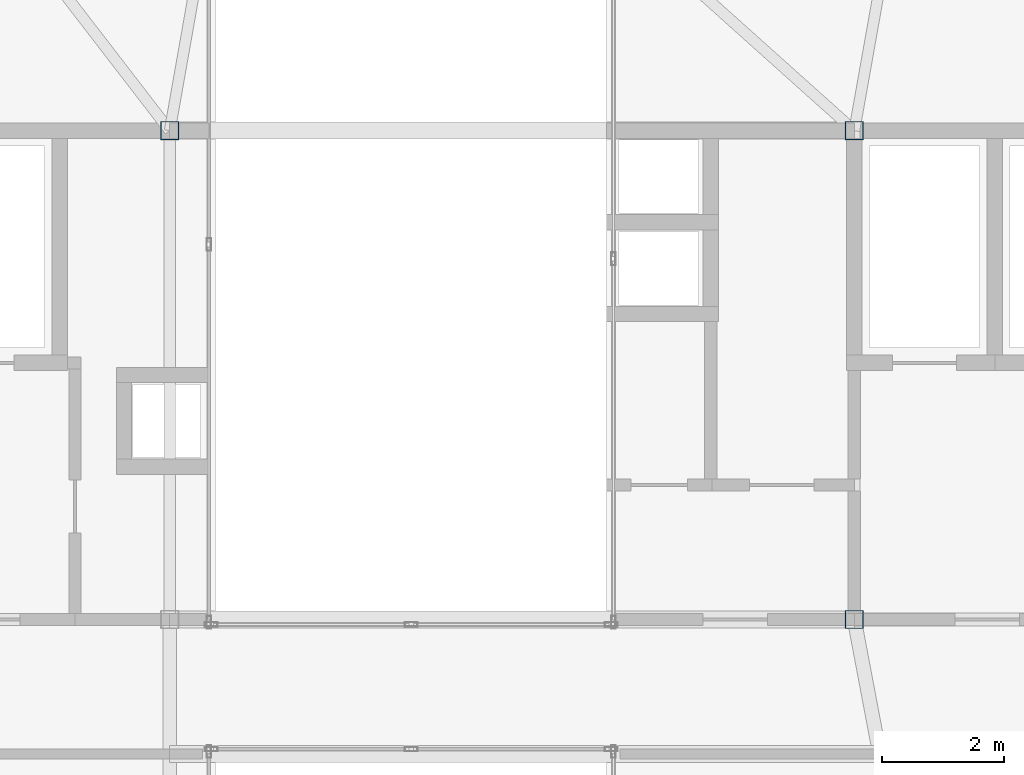
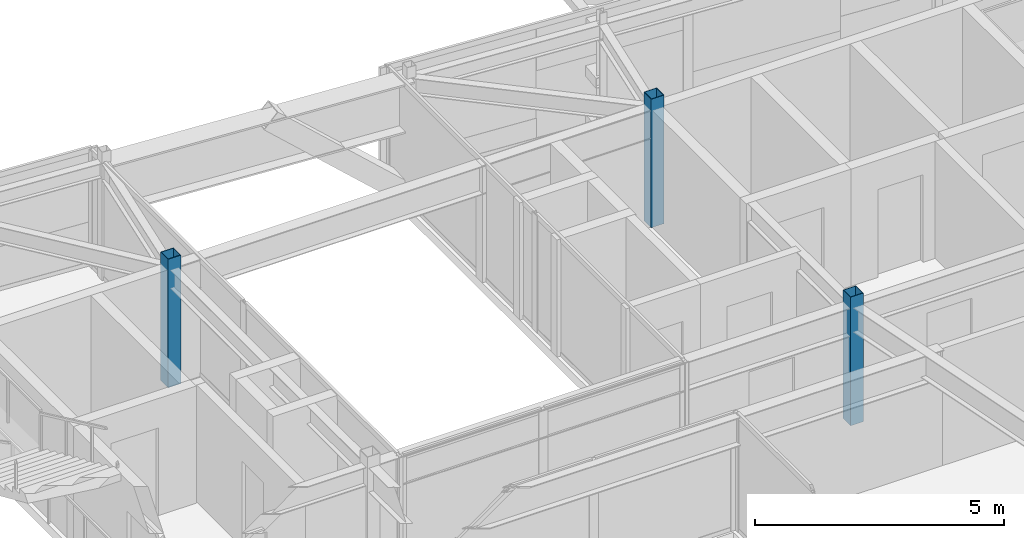
# One storey, part 4 of 40: 3 columns.
"""IFC4 building model written with IfcOpenShell, lengths in metres."""

from ifc_helpers import new_model, si_unit, direction, frame, origin, origin_2d, place, context, subcontext, project, spatial, hollow_rectangle, extrude, source, transform, mapped, material, material_profile, profile_set, type_object, element, save


model = new_model("IFC4")

# Units and contexts
model_context = context("Model", 3, precision=1e-05, world=origin(), true_north=direction((0.0, 1.0)))
body_context = subcontext(model_context, "Body", "Model", "MODEL_VIEW")
ifc_project = project(units=[si_unit("LENGTHUNIT", "METRE"), si_unit("AREAUNIT", "SQUARE_METRE"), si_unit("VOLUMEUNIT", "CUBIC_METRE"), si_unit("PLANEANGLEUNIT", "RADIAN"), si_unit("MASSUNIT", "GRAM", prefix="KILO")], contexts=[model_context])

# Site, building, storey
site_placement = place(None, origin())
site = spatial("IfcSite", under=ifc_project, at=site_placement, CompositionType="ELEMENT")
building_placement = place(site_placement, origin())
building = spatial("IfcBuilding", under=site, at=building_placement, Name="Taldren Reach Tower", CompositionType="ELEMENT")
storey_placement = place(building_placement, frame((0.0, 0.0, 233.449951171875)))
storey = spatial("IfcBuildingStorey", under=building, at=storey_placement, Name="L71", CompositionType="ELEMENT", Elevation=233.449951171875)

# Columns
ifc_material = material(Name="Steel Gr 450 (C450L0)", Category="steel")
ifc_material_profile = material_profile(ifc_material, hollow_rectangle(XDim=0.300048828125, YDim=0.300048828125, WallThickness=0.012451171875, at=origin_2d()), Name="300x300x12.5SHS")
ifc_profile_set = profile_set([ifc_material_profile], Name="Steel Gr 450 (C450L0)")
column_type = type_object("IfcColumnType", Name="COL-SHS300", PredefinedType="COLUMN", material=ifc_profile_set)
shared_shape = source(origin(), body_context, "Body", "SweptSolid", [
    extrude(hollow_rectangle(XDim=0.300048828125, YDim=0.300048828125, WallThickness=0.012451171875, at=origin_2d()), origin(), (0.0, 0.0, 1.0), 3.150146484375),
])
for number, where, z_axis, x_axis, name in (
    (1, (39.199951171875, 24.0, 0.0), (0.0, 0.0, 1.0), (1.0, 0.0, 0.0), "Mega column MC-C3 L71"),
    (2, (28.0, 32.0, 0.0), (0.0, 0.0, 1.0), (1.0, 0.0, 0.0), "Mega column MC-C6 L71"),
    (3, (39.199951171875, 32.0, 0.0), (0.0, 0.0, 1.0), (1.0, 0.0, 0.0), "Mega column MC-C7 L71"),
):
    element("IfcColumn", number, at=place(storey_placement, frame(where, z_axis=z_axis, x_axis=x_axis)), inside=storey, type_object=column_type, Name=name, PredefinedType="COLUMN", context=body_context, shape_type="MappedRepresentation", body=[
        mapped(shared_shape, transform((0.0, 0.0, 0.0), scale=1.0)),
    ])

save(model, "model.ifc")
